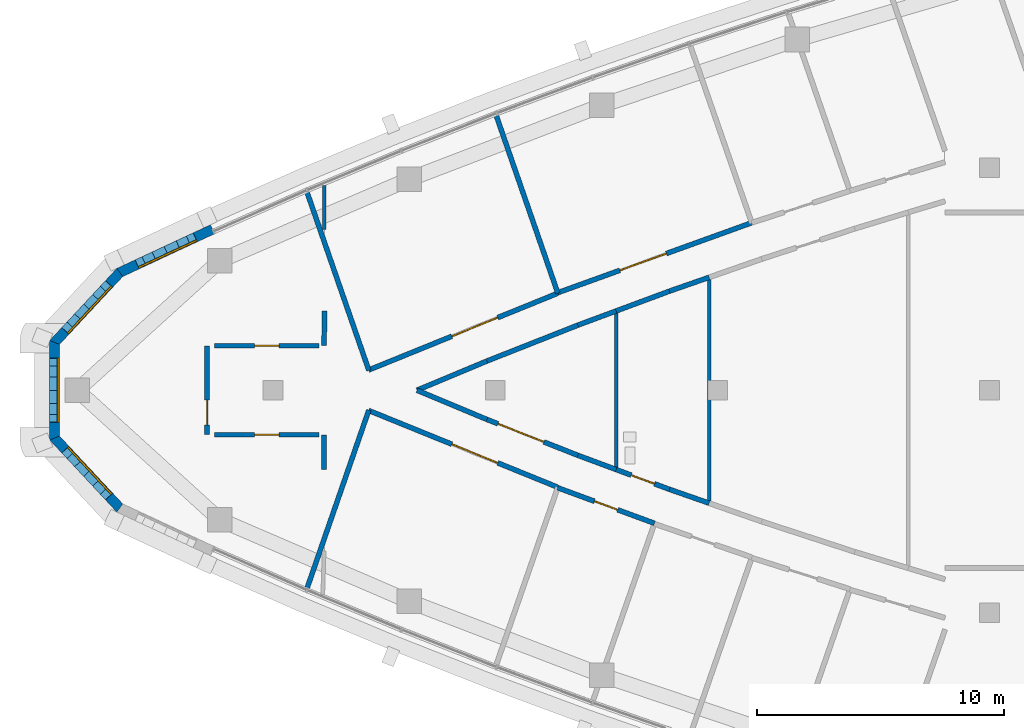
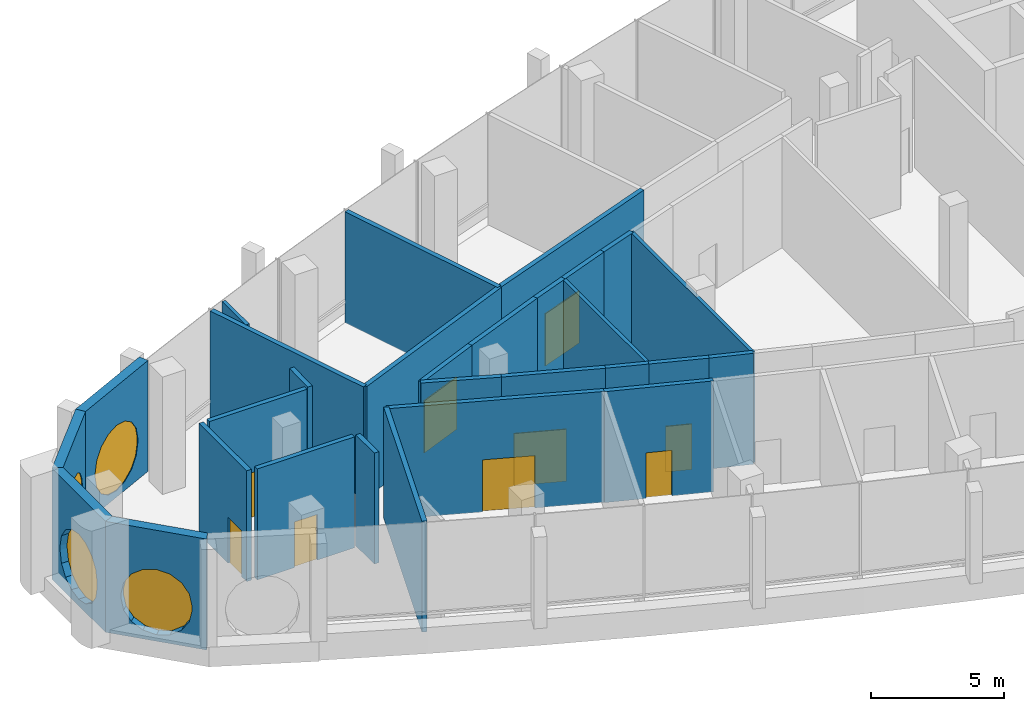
# One storey, part 7 of 15: 29 walls, 9 doors, 4 windows, 13 openings.
"""IFC4 building model written with IfcOpenShell, lengths in metres."""

from ifc_helpers import new_model, si_unit, direction, frame, frame_2d, origin, place, context, subcontext, project, spatial, polyline, rectangle, outline, extrude, material, layer, layer_set, type_object, element, fill, save


model = new_model("IFC4")

# Units and contexts
model_context = context("Model", 3, precision=1e-05, world=origin(), true_north=direction((0.0, 1.0)))
body_context = subcontext(model_context, "Body", "Model", "MODEL_VIEW")
ifc_project = project(units=[si_unit("LENGTHUNIT", "METRE"), si_unit("AREAUNIT", "SQUARE_METRE"), si_unit("VOLUMEUNIT", "CUBIC_METRE"), si_unit("PLANEANGLEUNIT", "RADIAN"), si_unit("MASSUNIT", "GRAM", prefix="KILO")], contexts=[model_context])

# Site, building, storey
site_placement = place(None, origin())
site = spatial("IfcSite", under=ifc_project, at=site_placement, CompositionType="ELEMENT")
building_placement = place(site_placement, origin())
building = spatial("IfcBuilding", under=site, at=building_placement, Name="Ostrand Prow Hotel Tower", CompositionType="ELEMENT")
storey_placement = place(building_placement, frame((0.0, 0.0, 313.199951171875)))
storey = spatial("IfcBuildingStorey", under=building, at=storey_placement, Name="C2", CompositionType="ELEMENT", Elevation=313.199951171875)

# Walls
ifc_material_1 = material(Name="Plasterboard partition")
ifc_layer_1 = layer(ifc_material_1, 0.14990234375)
ifc_layer_set_1 = layer_set([ifc_layer_1], Name="Plasterboard partition")
wall_type_1 = type_object("IfcWallType", Name="Partition 150 room partition", PredefinedType="PARTITIONING", material=ifc_layer_set_1)
wall_1_placement = place(storey_placement, frame((29.890380859375, -3.20947265625, 0.0), z_axis=(0.0, 0.0, 1.0), x_axis=(0.0, 1.0, 0.0)))
element("IfcWall", 1, at=wall_1_placement, inside=storey, type_object=wall_type_1, Name="ROOM PARTITION", PredefinedType="PARTITIONING", context=body_context, shape_type="SweptSolid", body=[
    extrude(rectangle(XDim=6.4189453125, YDim=0.14990234375, at=frame_2d((3.20947265625, 0.0))), origin(), (0.0, 0.0, 1.0), 5.10009765625),
])
wall_2_placement = place(storey_placement, frame((33.65234375, -4.56982421875, 0.0), z_axis=(0.0, 0.0, 1.0), x_axis=(0.0, 1.0, 0.0)))
element("IfcWall", 2, at=wall_2_placement, inside=storey, type_object=wall_type_1, Name="ROOM PARTITION", PredefinedType="PARTITIONING", context=body_context, shape_type="SweptSolid", body=[
    extrude(rectangle(XDim=9.1396484375, YDim=0.14990234375, at=frame_2d((4.56982421875, 0.0))), origin(), (0.0, 0.0, 1.0), 5.10009765625),
])
wall_3_placement = place(storey_placement, frame((18.071533203125, 8.29248046875, 0.0), z_axis=(0.0, 0.0, 1.0), x_axis=(0.0, -1.0, 0.0)))
element("IfcWall", 3, at=wall_3_placement, inside=storey, type_object=wall_type_1, Name="ROOM PARTITION", PredefinedType="PARTITIONING", context=body_context, shape_type="SweptSolid", body=[
    extrude(rectangle(XDim=1.78125, YDim=0.14990234375, at=frame_2d((0.890625, 0.0))), origin(), (0.0, 0.0, 1.0), 5.10009765625),
])

# Wall, opening, door
ifc_material_2 = material(Name="Plasterboard partition")
ifc_layer_2 = layer(ifc_material_2, 0.199951171875)
ifc_layer_set_2 = layer_set([ifc_layer_2], Name="Plasterboard partition")
wall_type_2 = type_object("IfcWallType", Name="Partition 200 corridor wall", PredefinedType="PARTITIONING", material=ifc_layer_set_2)
wall_4_placement = place(storey_placement, frame((13.63720703125, 1.800048828125, 0.0), z_axis=(0.0, 0.0, 1.0), x_axis=(1.0, 0.0, 0.0)))
wall_4 = element("IfcWall", 4, at=wall_4_placement, inside=storey, type_object=wall_type_2, Name="CORRIDOR WALL", PredefinedType="PARTITIONING", context=body_context, shape_type="SweptSolid", body=[
    extrude(rectangle(XDim=4.234375, YDim=0.199951171875, at=frame_2d((2.1171875, 0.0))), origin(), (0.0, 0.0, 1.0), 5.10009765625),
])
opening_1_placement = place(wall_4_placement, frame((1.6171875, 0.0, 0.0)))
opening_1 = element("IfcOpeningElement", 5, at=opening_1_placement, cuts=wall_4, Name="Opening D1", PredefinedType="OPENING", context=body_context, shape_type="SweptSolid", body=[
    extrude(rectangle(XDim=1.0, YDim=2.10009765625, at=frame_2d((0.5, 1.050048828125))), frame((0.0, 0.10986328125, 0.0), z_axis=(0.0, -1.0, 0.0), x_axis=(1.0, 0.0, 0.0)), (0.0, 0.0, 1.0), 0.219970703125),
])
ifc_material_3 = material(Name="Timber door leaf", Category="wood")
door_type_1 = type_object("IfcDoorType", Name="Guest room door 1000", OperationType="SINGLE_SWING_LEFT", PredefinedType="DOOR", material=ifc_material_3)
door_1_placement = place(opening_1_placement, origin())
door_1 = element("IfcDoor", 6, at=door_1_placement, inside=storey, type_object=door_type_1, Name="DOOR", OperationType="SINGLE_SWING_LEFT", OverallHeight=2.10009765625, OverallWidth=1.0, PredefinedType="DOOR", context=body_context, shape_type="SweptSolid", body=[
    extrude(rectangle(XDim=1.0, YDim=2.10009765625, at=frame_2d((0.5, 1.050048828125))), frame((0.0, 0.02490234375, 0.0), z_axis=(0.0, -1.0, 0.0), x_axis=(1.0, 0.0, 0.0)), (0.0, 0.0, 1.0), 0.050048828125),
])
fill(opening_1, door_1)

wall_5_placement = place(storey_placement, frame((13.63720703125, -1.800048828125, 0.0), z_axis=(0.0, 0.0, 1.0), x_axis=(1.0, 0.0, 0.0)))
wall_5 = element("IfcWall", 7, at=wall_5_placement, inside=storey, type_object=wall_type_2, Name="CORRIDOR WALL", PredefinedType="PARTITIONING", context=body_context, shape_type="SweptSolid", body=[
    extrude(rectangle(XDim=4.234375, YDim=0.199951171875, at=frame_2d((2.1171875, 0.0))), origin(), (0.0, 0.0, 1.0), 5.10009765625),
])
opening_2_placement = place(wall_5_placement, frame((1.6171875, 0.0, 0.0)))
opening_2 = element("IfcOpeningElement", 8, at=opening_2_placement, cuts=wall_5, Name="Opening D1R", PredefinedType="OPENING", context=body_context, shape_type="SweptSolid", body=[
    extrude(rectangle(XDim=1.0, YDim=2.10009765625, at=frame_2d((0.5, 1.050048828125))), frame((0.0, 0.10986328125, 0.0), z_axis=(0.0, -1.0, 0.0), x_axis=(1.0, 0.0, 0.0)), (0.0, 0.0, 1.0), 0.219970703125),
])
ifc_material_4 = material(Name="Timber door leaf", Category="wood")
door_type_2 = type_object("IfcDoorType", Name="Guest room door 1000 right", OperationType="SINGLE_SWING_RIGHT", PredefinedType="DOOR", material=ifc_material_4)
door_2_placement = place(opening_2_placement, origin())
door_2 = element("IfcDoor", 9, at=door_2_placement, inside=storey, type_object=door_type_2, Name="DOOR", OperationType="SINGLE_SWING_RIGHT", OverallHeight=2.10009765625, OverallWidth=1.0, PredefinedType="DOOR", context=body_context, shape_type="SweptSolid", body=[
    extrude(rectangle(XDim=1.0, YDim=2.10009765625, at=frame_2d((0.5, 1.050048828125))), frame((0.0, 0.02490234375, 0.0), z_axis=(0.0, -1.0, 0.0), x_axis=(1.0, 0.0, 0.0)), (0.0, 0.0, 1.0), 0.050048828125),
])
fill(opening_2, door_2)

wall_6_placement = place(storey_placement, frame((19.876708984375, 0.819091796875, 0.0), z_axis=(0.0, 0.0, 1.0), x_axis=(0.926527754448, 0.376226421503, 0.0)))
wall_6 = element("IfcWall", 10, at=wall_6_placement, inside=storey, type_object=wall_type_2, Name="CORRIDOR WALL", PredefinedType="PARTITIONING", context=body_context, shape_type="SweptSolid", body=[
    extrude(rectangle(XDim=8.2607421875, YDim=0.199951171875, at=frame_2d((4.13037109375, 0.0))), origin(), (0.0, 0.0, 1.0), 5.10009765625),
])
opening_3_placement = place(wall_6_placement, frame((3.63037109375, 0.0, 0.0)))
opening_3 = element("IfcOpeningElement", 11, at=opening_3_placement, cuts=wall_6, Name="Opening D20", PredefinedType="OPENING", context=body_context, shape_type="SweptSolid", body=[
    extrude(rectangle(XDim=2.0, YDim=2.39990234375, at=frame_2d((1.0, 1.199951171875))), frame((0.0, 0.10986328125, 0.0), z_axis=(0.0, -1.0, 0.0), x_axis=(1.0, 0.0, 0.0)), (0.0, 0.0, 1.0), 0.219970703125),
])
ifc_material_5 = material(Name="Timber door leaf", Category="wood")
door_type_3 = type_object("IfcDoorType", Name="Double door 2000", OperationType="DOUBLE_DOOR_SINGLE_SWING", PredefinedType="DOOR", material=ifc_material_5)
door_3_placement = place(opening_3_placement, origin())
door_3 = element("IfcDoor", 12, at=door_3_placement, inside=storey, type_object=door_type_3, Name="DOOR", OperationType="DOUBLE_DOOR_SINGLE_SWING", OverallHeight=2.39990234375, OverallWidth=2.0, PredefinedType="DOOR", context=body_context, shape_type="SweptSolid", body=[
    extrude(rectangle(XDim=2.0, YDim=2.39990234375, at=frame_2d((1.0, 1.199951171875))), frame((0.0, 0.02490234375, 0.0), z_axis=(0.0, -1.0, 0.0), x_axis=(1.0, 0.0, 0.0)), (0.0, 0.0, 1.0), 0.050048828125),
])
fill(opening_3, door_3)

wall_7_placement = place(storey_placement, frame((35.375732421875, 6.778564453125, 0.0), z_axis=(0.0, 0.0, 1.0), x_axis=(-0.940653782276, -0.339367738433, 0.0)))
wall_7 = element("IfcWall", 13, at=wall_7_placement, inside=storey, type_object=wall_type_2, Name="CORRIDOR WALL", PredefinedType="PARTITIONING", context=body_context, shape_type="SweptSolid", body=[
    extrude(rectangle(XDim=8.34716796875, YDim=0.199951171875, at=frame_2d((4.173583984375, 0.0))), origin(), (0.0, 0.0, 1.0), 5.10009765625),
])
opening_4_placement = place(wall_7_placement, frame((3.673583984375, 0.0, 0.0)))
opening_4 = element("IfcOpeningElement", 14, at=opening_4_placement, cuts=wall_7, Name="Opening D20", PredefinedType="OPENING", context=body_context, shape_type="SweptSolid", body=[
    extrude(rectangle(XDim=2.0, YDim=2.39990234375, at=frame_2d((1.0, 1.199951171875))), frame((0.0, 0.10986328125, 0.0), z_axis=(0.0, -1.0, 0.0), x_axis=(1.0, 0.0, 0.0)), (0.0, 0.0, 1.0), 0.219970703125),
])
door_4_placement = place(opening_4_placement, origin())
door_4 = element("IfcDoor", 15, at=door_4_placement, inside=storey, type_object=door_type_3, Name="DOOR", OperationType="DOUBLE_DOOR_SINGLE_SWING", OverallHeight=2.39990234375, OverallWidth=2.0, PredefinedType="DOOR", context=body_context, shape_type="SweptSolid", body=[
    extrude(rectangle(XDim=2.0, YDim=2.39990234375, at=frame_2d((1.0, 1.199951171875))), frame((0.0, 0.02490234375, 0.0), z_axis=(0.0, -1.0, 0.0), x_axis=(1.0, 0.0, 0.0)), (0.0, 0.0, 1.0), 0.050048828125),
])
fill(opening_4, door_4)

wall_8_placement = place(storey_placement, frame((19.876708984375, -0.819091796875, 0.0), z_axis=(0.0, 0.0, 1.0), x_axis=(0.926527754448, -0.376226421503, 0.0)))
wall_8 = element("IfcWall", 16, at=wall_8_placement, inside=storey, type_object=wall_type_2, Name="CORRIDOR WALL", PredefinedType="PARTITIONING", context=body_context, shape_type="SweptSolid", body=[
    extrude(rectangle(XDim=8.2607421875, YDim=0.199951171875, at=frame_2d((4.13037109375, 0.0))), origin(), (0.0, 0.0, 1.0), 5.10009765625),
])
opening_5_placement = place(wall_8_placement, frame((3.63037109375, 0.0, 0.0)))
opening_5 = element("IfcOpeningElement", 17, at=opening_5_placement, cuts=wall_8, Name="Opening D20", PredefinedType="OPENING", context=body_context, shape_type="SweptSolid", body=[
    extrude(rectangle(XDim=2.0, YDim=2.39990234375, at=frame_2d((1.0, 1.199951171875))), frame((0.0, 0.10986328125, 0.0), z_axis=(0.0, -1.0, 0.0), x_axis=(1.0, 0.0, 0.0)), (0.0, 0.0, 1.0), 0.219970703125),
])
door_5_placement = place(opening_5_placement, origin())
door_5 = element("IfcDoor", 18, at=door_5_placement, inside=storey, type_object=door_type_3, Name="DOOR", OperationType="DOUBLE_DOOR_SINGLE_SWING", OverallHeight=2.39990234375, OverallWidth=2.0, PredefinedType="DOOR", context=body_context, shape_type="SweptSolid", body=[
    extrude(rectangle(XDim=2.0, YDim=2.39990234375, at=frame_2d((1.0, 1.199951171875))), frame((0.0, 0.02490234375, 0.0), z_axis=(0.0, -1.0, 0.0), x_axis=(1.0, 0.0, 0.0)), (0.0, 0.0, 1.0), 0.050048828125),
])
fill(opening_5, door_5)

wall_9_placement = place(storey_placement, frame((27.52392578125, -3.94580078125, 0.0), z_axis=(0.0, 0.0, 1.0), x_axis=(0.938626470437, -0.344935282329, 0.0)))
wall_9 = element("IfcWall", 19, at=wall_9_placement, inside=storey, type_object=wall_type_2, Name="CORRIDOR WALL", PredefinedType="PARTITIONING", context=body_context, shape_type="SweptSolid", body=[
    extrude(rectangle(XDim=4.173095703125, YDim=0.199951171875, at=frame_2d((2.08642578125, 0.0))), origin(), (0.0, 0.0, 1.0), 5.10009765625),
])
opening_6_placement = place(wall_9_placement, frame((1.58642578125, 0.0, 0.0)))
opening_6 = element("IfcOpeningElement", 20, at=opening_6_placement, cuts=wall_9, Name="Opening D1", PredefinedType="OPENING", context=body_context, shape_type="SweptSolid", body=[
    extrude(rectangle(XDim=1.0, YDim=2.10009765625, at=frame_2d((0.5, 1.050048828125))), frame((0.0, 0.10986328125, 0.0), z_axis=(0.0, -1.0, 0.0), x_axis=(1.0, 0.0, 0.0)), (0.0, 0.0, 1.0), 0.219970703125),
])
door_6_placement = place(opening_6_placement, origin())
door_6 = element("IfcDoor", 21, at=door_6_placement, inside=storey, type_object=door_type_1, Name="DOOR", OperationType="SINGLE_SWING_LEFT", OverallHeight=2.10009765625, OverallWidth=1.0, PredefinedType="DOOR", context=body_context, shape_type="SweptSolid", body=[
    extrude(rectangle(XDim=1.0, YDim=2.10009765625, at=frame_2d((0.5, 1.050048828125))), frame((0.0, 0.02490234375, 0.0), z_axis=(0.0, -1.0, 0.0), x_axis=(1.0, 0.0, 0.0)), (0.0, 0.0, 1.0), 0.050048828125),
])
fill(opening_6, door_6)

wall_10_placement = place(storey_placement, frame((28.3408203125, -2.634033203125, 0.0), z_axis=(0.0, 0.0, 1.0), x_axis=(-0.930283315105, 0.366841864619, 0.0)))
wall_10 = element("IfcWall", 22, at=wall_10_placement, inside=storey, type_object=wall_type_2, Name="CORRIDOR WALL", PredefinedType="PARTITIONING", context=body_context, shape_type="SweptSolid", body=[
    extrude(rectangle(XDim=3.955078125, YDim=0.199951171875, at=frame_2d((1.9775390625, 0.0))), origin(), (0.0, 0.0, 1.0), 5.10009765625),
])
opening_7_placement = place(wall_10_placement, frame((1.4775390625, 0.0, 0.0)))
opening_7 = element("IfcOpeningElement", 23, at=opening_7_placement, cuts=wall_10, Name="Opening D20", PredefinedType="OPENING", context=body_context, shape_type="SweptSolid", body=[
    extrude(rectangle(XDim=2.0, YDim=2.39990234375, at=frame_2d((1.0, 1.199951171875))), frame((0.0, 0.10986328125, 0.0), z_axis=(0.0, -1.0, 0.0), x_axis=(1.0, 0.0, 0.0)), (0.0, 0.0, 1.0), 0.219970703125),
])
door_7_placement = place(opening_7_placement, origin())
door_7 = element("IfcDoor", 24, at=door_7_placement, inside=storey, type_object=door_type_3, Name="DOOR", OperationType="DOUBLE_DOOR_SINGLE_SWING", OverallHeight=2.39990234375, OverallWidth=2.0, PredefinedType="DOOR", context=body_context, shape_type="SweptSolid", body=[
    extrude(rectangle(XDim=2.0, YDim=2.39990234375, at=frame_2d((1.0, 1.199951171875))), frame((0.0, 0.02490234375, 0.0), z_axis=(0.0, -1.0, 0.0), x_axis=(1.0, 0.0, 0.0)), (0.0, 0.0, 1.0), 0.050048828125),
])
fill(opening_7, door_7)

# Walls
for number, where, z_axis, x_axis, name in (
    (25, (24.661376953125, -1.18310546875, 0.0), (0.0, 0.0, 1.0), (-0.922730626167, 0.3854454456, 0.0), "CORRIDOR WALL"),
    (26, (21.8291015625, 0.0, 0.0), (0.0, 0.0, 1.0), (0.922730626167, 0.3854454456, 0.0), "CORRIDOR WALL"),
):
    element("IfcWall", number, at=place(storey_placement, frame(where, z_axis=z_axis, x_axis=x_axis)), inside=storey, type_object=wall_type_2, Name=name, PredefinedType="PARTITIONING", context=body_context, shape_type="SweptSolid", body=[
        extrude(rectangle(XDim=3.0693359375, YDim=0.199951171875, at=frame_2d((1.53466796875, 0.0))), origin(), (0.0, 0.0, 1.0), 5.10009765625),
    ])
wall_11_placement = place(storey_placement, frame((24.661376953125, 1.18310546875, 0.0), z_axis=(0.0, 0.0, 1.0), x_axis=(0.930283315105, 0.366841864619, 0.0)))
element("IfcWall", 27, at=wall_11_placement, inside=storey, type_object=wall_type_2, Name="CORRIDOR WALL", PredefinedType="PARTITIONING", context=body_context, shape_type="SweptSolid", body=[
    extrude(rectangle(XDim=3.955078125, YDim=0.199951171875, at=frame_2d((1.9775390625, 0.0))), origin(), (0.0, 0.0, 1.0), 5.10009765625),
])
for number, where, z_axis, x_axis, name in (
    (28, (28.3408203125, 2.634033203125, 0.0), (0.0, 0.0, 1.0), (0.937447308475, 0.348127194907, 0.0), "CORRIDOR WALL"),
    (29, (29.890380859375, -3.20947265625, 0.0), (0.0, 0.0, 1.0), (-0.937447308475, 0.348127194907, 0.0), "CORRIDOR WALL"),
):
    element("IfcWall", number, at=place(storey_placement, frame(where, z_axis=z_axis, x_axis=x_axis)), inside=storey, type_object=wall_type_2, Name=name, PredefinedType="PARTITIONING", context=body_context, shape_type="SweptSolid", body=[
        extrude(rectangle(XDim=1.653076171875, YDim=0.199951171875, at=frame_2d((0.82666015625, 0.0))), origin(), (0.0, 0.0, 1.0), 5.10009765625),
    ])

# Wall, opening, door
wall_12_placement = place(storey_placement, frame((32.048583984375, -4.0107421875, 0.0), z_axis=(0.0, 0.0, 1.0), x_axis=(-0.937474711598, 0.348053394057, 0.0)))
wall_12 = element("IfcWall", 30, at=wall_12_placement, inside=storey, type_object=wall_type_2, Name="CORRIDOR WALL", PredefinedType="PARTITIONING", context=body_context, shape_type="SweptSolid", body=[
    extrude(rectangle(XDim=2.30224609375, YDim=0.199951171875, at=frame_2d((1.151123046875, 0.0))), origin(), (0.0, 0.0, 1.0), 5.10009765625),
])
opening_8_placement = place(wall_12_placement, frame((0.651123046875, 0.0, 0.0)))
opening_8 = element("IfcOpeningElement", 31, at=opening_8_placement, cuts=wall_12, Name="Opening D1", PredefinedType="OPENING", context=body_context, shape_type="SweptSolid", body=[
    extrude(rectangle(XDim=1.0, YDim=2.10009765625, at=frame_2d((0.5, 1.050048828125))), frame((0.0, 0.10986328125, 0.0), z_axis=(0.0, -1.0, 0.0), x_axis=(1.0, 0.0, 0.0)), (0.0, 0.0, 1.0), 0.219970703125),
])
door_8_placement = place(opening_8_placement, origin())
door_8 = element("IfcDoor", 32, at=door_8_placement, inside=storey, type_object=door_type_1, Name="DOOR", OperationType="SINGLE_SWING_LEFT", OverallHeight=2.10009765625, OverallWidth=1.0, PredefinedType="DOOR", context=body_context, shape_type="SweptSolid", body=[
    extrude(rectangle(XDim=1.0, YDim=2.10009765625, at=frame_2d((0.5, 1.050048828125))), frame((0.0, 0.02490234375, 0.0), z_axis=(0.0, -1.0, 0.0), x_axis=(1.0, 0.0, 0.0)), (0.0, 0.0, 1.0), 0.050048828125),
])
fill(opening_8, door_8)

# Walls
wall_13_placement = place(storey_placement, frame((33.65234375, -4.56982421875, 0.0), z_axis=(0.0, 0.0, 1.0), x_axis=(-0.94426773746, 0.329178431844, 0.0)))
element("IfcWall", 33, at=wall_13_placement, inside=storey, type_object=wall_type_2, Name="CORRIDOR WALL", PredefinedType="PARTITIONING", context=body_context, shape_type="SweptSolid", body=[
    extrude(rectangle(XDim=1.698486328125, YDim=0.199951171875, at=frame_2d((0.84912109375, 0.0))), origin(), (0.0, 0.0, 1.0), 5.10009765625),
])
wall_14_placement = place(storey_placement, frame((29.890380859375, 3.20947265625, 0.0), z_axis=(0.0, 0.0, 1.0), x_axis=(0.937474711598, 0.348053394057, 0.0)))
element("IfcWall", 34, at=wall_14_placement, inside=storey, type_object=wall_type_2, Name="CORRIDOR WALL", PredefinedType="PARTITIONING", context=body_context, shape_type="SweptSolid", body=[
    extrude(rectangle(XDim=2.30224609375, YDim=0.199951171875, at=frame_2d((1.151123046875, 0.0))), origin(), (0.0, 0.0, 1.0), 5.10009765625),
])
wall_15_placement = place(storey_placement, frame((32.048583984375, 4.0107421875, 0.0), z_axis=(0.0, 0.0, 1.0), x_axis=(0.94426773746, 0.329178431844, 0.0)))
element("IfcWall", 35, at=wall_15_placement, inside=storey, type_object=wall_type_2, Name="CORRIDOR WALL", PredefinedType="PARTITIONING", context=body_context, shape_type="SweptSolid", body=[
    extrude(rectangle(XDim=1.698486328125, YDim=0.199951171875, at=frame_2d((0.84912109375, 0.0))), origin(), (0.0, 0.0, 1.0), 5.10009765625),
])
wall_16_placement = place(storey_placement, frame((18.069091796875, 1.805419921875, 0.0), z_axis=(0.0, 0.0, 1.0), x_axis=(0.016482230624, 0.99986415881, 0.0)))
element("IfcWall", 36, at=wall_16_placement, inside=storey, type_object=wall_type_2, Name="CORRIDOR WALL", PredefinedType="PARTITIONING", context=body_context, shape_type="SweptSolid", body=[
    extrude(rectangle(XDim=1.4072265625, YDim=0.199951171875, at=frame_2d((0.70361328125, 0.0))), origin(), (0.0, 0.0, 1.0), 5.10009765625),
])
wall_17_placement = place(storey_placement, frame((18.0751953125, -3.20361328125, 0.0), z_axis=(0.0, 0.0, 1.0), x_axis=(-0.004015330759, 0.999991938527, 0.0)))
element("IfcWall", 37, at=wall_17_placement, inside=storey, type_object=wall_type_2, Name="CORRIDOR WALL", PredefinedType="PARTITIONING", context=body_context, shape_type="SweptSolid", body=[
    extrude(rectangle(XDim=1.3984375, YDim=0.199951171875, at=frame_2d((0.69921875, 0.0))), origin(), (0.0, 0.0, 1.0), 5.10009765625),
])
ifc_material_6 = material(Name="Plasterboard partition")
ifc_layer_3 = layer(ifc_material_6, 0.199951171875)
ifc_layer_set_3 = layer_set([ifc_layer_3], Name="Plasterboard partition")
wall_type_3 = type_object("IfcWallType", Name="Partition 200 key partition", PredefinedType="PARTITIONING", material=ifc_layer_set_3)
wall_18_placement = place(storey_placement, frame((19.88330078125, 0.800048828125, 0.0), z_axis=(0.0, 0.0, 1.0), x_axis=(-0.327720796798, 0.94477461828, 0.0)))
element("IfcWall", 38, at=wall_18_placement, inside=storey, type_object=wall_type_3, Name="KEY PARTITION", PredefinedType="PARTITIONING", context=body_context, shape_type="SweptSolid", body=[
    extrude(rectangle(XDim=7.62548828125, YDim=0.199951171875, at=frame_2d((3.812744140625, 0.0))), origin(), (0.0, 0.0, 1.0), 5.10009765625),
])
wall_19_placement = place(storey_placement, frame((27.530517578125, 3.927001953125, 0.0), z_axis=(0.0, 0.0, 1.0), x_axis=(-0.327730022722, 0.944771417966, 0.0)))
element("IfcWall", 39, at=wall_19_placement, inside=storey, type_object=wall_type_3, Name="KEY PARTITION", PredefinedType="PARTITIONING", context=body_context, shape_type="SweptSolid", body=[
    extrude(rectangle(XDim=7.606689453125, YDim=0.199951171875, at=frame_2d((3.80322265625, 0.0))), origin(), (0.0, 0.0, 1.0), 5.10009765625),
])
wall_20_placement = place(storey_placement, frame((17.38427734375, -8.00439453125, 0.0), z_axis=(0.0, 0.0, 1.0), x_axis=(0.327720796798, 0.94477461828, 0.0)))
element("IfcWall", 40, at=wall_20_placement, inside=storey, type_object=wall_type_3, Name="KEY PARTITION", PredefinedType="PARTITIONING", context=body_context, shape_type="SweptSolid", body=[
    extrude(rectangle(XDim=7.62548828125, YDim=0.199951171875, at=frame_2d((3.812744140625, 0.0))), origin(), (0.0, 0.0, 1.0), 5.10009765625),
])

# Wall, opening, door
ifc_material_7 = material(Name="Plasterboard partition")
ifc_layer_4 = layer(ifc_material_7, 0.199951171875)
ifc_layer_set_4 = layer_set([ifc_layer_4], Name="Plasterboard partition")
wall_type_4 = type_object("IfcWallType", Name="Partition 200 lounge wall", PredefinedType="PARTITIONING", material=ifc_layer_set_4)
wall_21_placement = place(storey_placement, frame((13.337158203125, -1.800048828125, 0.0), z_axis=(0.0, 0.0, 1.0), x_axis=(0.0, 1.0, 0.0)))
wall_21 = element("IfcWall", 41, at=wall_21_placement, inside=storey, type_object=wall_type_4, Name="LOUNGE WALL", PredefinedType="PARTITIONING", context=body_context, shape_type="SweptSolid", body=[
    extrude(rectangle(XDim=3.60009765625, YDim=0.199951171875, at=frame_2d((1.800048828125, 0.0))), origin(), (0.0, 0.0, 1.0), 5.10009765625),
])
opening_9_placement = place(wall_21_placement, frame((0.39990234375, 0.0, 0.0)))
opening_9 = element("IfcOpeningElement", 42, at=opening_9_placement, cuts=wall_21, Name="Opening D1", PredefinedType="OPENING", context=body_context, shape_type="SweptSolid", body=[
    extrude(rectangle(XDim=1.0, YDim=2.10009765625, at=frame_2d((0.5, 1.050048828125))), frame((0.0, 0.10986328125, 0.0), z_axis=(0.0, -1.0, 0.0), x_axis=(1.0, 0.0, 0.0)), (0.0, 0.0, 1.0), 0.219970703125),
])
door_9_placement = place(opening_9_placement, origin())
door_9 = element("IfcDoor", 43, at=door_9_placement, inside=storey, type_object=door_type_1, Name="DOOR", OperationType="SINGLE_SWING_LEFT", OverallHeight=2.10009765625, OverallWidth=1.0, PredefinedType="DOOR", context=body_context, shape_type="SweptSolid", body=[
    extrude(rectangle(XDim=1.0, YDim=2.10009765625, at=frame_2d((0.5, 1.050048828125))), frame((0.0, 0.02490234375, 0.0), z_axis=(0.0, -1.0, 0.0), x_axis=(1.0, 0.0, 0.0)), (0.0, 0.0, 1.0), 0.050048828125),
])
fill(opening_9, door_9)

# Wall, opening, window
ifc_material_8 = material(Name="Precast concrete C40/50", Category="concrete")
ifc_layer_5 = layer(ifc_material_8, 0.39990234375)
ifc_layer_set_5 = layer_set([ifc_layer_5], Name="Precast concrete C40/50")
wall_type_5 = type_object("IfcWallType", Name="Stone-faced precast wall 400 mm", PredefinedType="NOTDEFINED", material=ifc_layer_set_5)
wall_22_placement = place(storey_placement, frame((13.55859375, 6.5146484375, 0.0), z_axis=(0.0, 0.0, 1.0), x_axis=(-0.906485602396, -0.42223672584, 0.0)))
wall_22 = element("IfcWall", 44, at=wall_22_placement, inside=storey, type_object=wall_type_5, Name="Stone-faced wall prow 1", PredefinedType="NOTDEFINED", context=body_context, shape_type="SweptSolid", body=[
    extrude(outline(polyline([(0.0, -0.199951171875), (4.1806640625, -0.199951171875), (4.1025390625, 0.199951171875), (0.0, 0.199951171875), (0.0, -0.199951171875)])), origin(), (0.0, 0.0, 1.0), 5.10009765625),
])
opening_10_placement = place(wall_22_placement, frame((0.6708984375, 0.0, 0.300048828125)))
opening_10 = element("IfcOpeningElement", 45, at=opening_10_placement, cuts=wall_22, Name="Opening WO1", PredefinedType="OPENING", context=body_context, shape_type="SweptSolid", body=[
    extrude(outline(polyline([(0.0, 1.60009765625), (0.106689453125, 2.1357421875), (0.41015625, 2.58984375), (0.8642578125, 2.893310546875), (1.39990234375, 3.0), (1.935791015625, 2.893310546875), (2.389892578125, 2.58984375), (2.693359375, 2.1357421875), (2.800048828125, 1.60009765625), (2.800048828125, 1.39990234375), (2.693359375, 0.8642578125), (2.389892578125, 0.41015625), (1.935791015625, 0.106689453125), (1.39990234375, 0.0), (0.8642578125, 0.106689453125), (0.41015625, 0.41015625), (0.106689453125, 0.8642578125), (0.0, 1.39990234375), (0.0, 1.60009765625)])), frame((0.0, 0.2099609375, 0.0), z_axis=(0.0, -1.0, 0.0), x_axis=(1.0, 0.0, 0.0)), (0.0, 0.0, 1.0), 0.419921875),
])
ifc_material_9 = material(Name="Insulated glass in bronze frame", Category="glass")
window_type = type_object("IfcWindowType", Name="Observation deck prow window 2800x3000", PartitioningType="SINGLE_PANEL", PredefinedType="WINDOW", material=ifc_material_9)
window_1_placement = place(opening_10_placement, origin())
window_1 = element("IfcWindow", 46, at=window_1_placement, inside=storey, type_object=window_type, Name="Window prow 1.1", OverallHeight=3.0, OverallWidth=2.800048828125, PartitioningType="SINGLE_PANEL", PredefinedType="WINDOW", context=body_context, shape_type="SweptSolid", body=[
    extrude(outline(polyline([(0.0, 1.60009765625), (0.106689453125, 2.1357421875), (0.41015625, 2.58984375), (0.8642578125, 2.893310546875), (1.39990234375, 3.0), (1.935791015625, 2.893310546875), (2.389892578125, 2.58984375), (2.693359375, 2.1357421875), (2.800048828125, 1.60009765625), (2.800048828125, 1.39990234375), (2.693359375, 0.8642578125), (2.389892578125, 0.41015625), (1.935791015625, 0.106689453125), (1.39990234375, 0.0), (0.8642578125, 0.106689453125), (0.41015625, 0.41015625), (0.106689453125, 0.8642578125), (0.0, 1.39990234375), (0.0, 1.60009765625)])), frame((0.0, 0.169921875, 0.0), z_axis=(0.0, -1.0, 0.0), x_axis=(1.0, 0.0, 0.0)), (0.0, 0.0, 1.0), 0.06005859375),
])
fill(opening_10, window_1)

wall_23_placement = place(storey_placement, frame((9.80419921875, 4.765869140625, 0.0), z_axis=(0.0, 0.0, 1.0), x_axis=(-0.6815467277, -0.73177459505, 0.0)))
wall_23 = element("IfcWall", 47, at=wall_23_placement, inside=storey, type_object=wall_type_5, Name="Stone-faced wall prow 2", PredefinedType="NOTDEFINED", context=body_context, shape_type="SweptSolid", body=[
    extrude(outline(polyline([(-0.0390625, -0.199951171875), (3.94775390625, -0.199951171875), (3.79052734375, 0.199951171875), (0.0390625, 0.199951171875), (-0.0390625, -0.199951171875)])), origin(), (0.0, 0.0, 1.0), 5.10009765625),
])
opening_11_placement = place(wall_23_placement, frame((0.53466796875, 0.0, 0.300048828125)))
opening_11 = element("IfcOpeningElement", 48, at=opening_11_placement, cuts=wall_23, Name="Opening WO1", PredefinedType="OPENING", context=body_context, shape_type="SweptSolid", body=[
    extrude(outline(polyline([(0.0, 1.60009765625), (0.106689453125, 2.1357421875), (0.41015625, 2.58984375), (0.8642578125, 2.893310546875), (1.39990234375, 3.0), (1.935791015625, 2.893310546875), (2.389892578125, 2.58984375), (2.693359375, 2.1357421875), (2.800048828125, 1.60009765625), (2.800048828125, 1.39990234375), (2.693359375, 0.8642578125), (2.389892578125, 0.41015625), (1.935791015625, 0.106689453125), (1.39990234375, 0.0), (0.8642578125, 0.106689453125), (0.41015625, 0.41015625), (0.106689453125, 0.8642578125), (0.0, 1.39990234375), (0.0, 1.60009765625)])), frame((0.0, 0.2099609375, 0.0), z_axis=(0.0, -1.0, 0.0), x_axis=(1.0, 0.0, 0.0)), (0.0, 0.0, 1.0), 0.419921875),
])
window_2_placement = place(opening_11_placement, origin())
window_2 = element("IfcWindow", 49, at=window_2_placement, inside=storey, type_object=window_type, Name="Window prow 2.1", OverallHeight=3.0, OverallWidth=2.800048828125, PartitioningType="SINGLE_PANEL", PredefinedType="WINDOW", context=body_context, shape_type="SweptSolid", body=[
    extrude(outline(polyline([(0.0, 1.60009765625), (0.106689453125, 2.1357421875), (0.41015625, 2.58984375), (0.8642578125, 2.893310546875), (1.39990234375, 3.0), (1.935791015625, 2.893310546875), (2.389892578125, 2.58984375), (2.693359375, 2.1357421875), (2.800048828125, 1.60009765625), (2.800048828125, 1.39990234375), (2.693359375, 0.8642578125), (2.389892578125, 0.41015625), (1.935791015625, 0.106689453125), (1.39990234375, 0.0), (0.8642578125, 0.106689453125), (0.41015625, 0.41015625), (0.106689453125, 0.8642578125), (0.0, 1.39990234375), (0.0, 1.60009765625)])), frame((0.0, 0.169921875, 0.0), z_axis=(0.0, -1.0, 0.0), x_axis=(1.0, 0.0, 0.0)), (0.0, 0.0, 1.0), 0.06005859375),
])
fill(opening_11, window_2)

wall_24_placement = place(storey_placement, frame((7.167236328125, 1.9345703125, 0.0), z_axis=(0.0, 0.0, 1.0), x_axis=(0.0, -1.0, 0.0)))
wall_24 = element("IfcWall", 50, at=wall_24_placement, inside=storey, type_object=wall_type_5, Name="Stone-faced wall prow 3", PredefinedType="NOTDEFINED", context=body_context, shape_type="SweptSolid", body=[
    extrude(outline(polyline([(-0.07861328125, -0.199951171875), (3.94775390625, -0.199951171875), (3.79052734375, 0.199951171875), (0.07861328125, 0.199951171875), (-0.07861328125, -0.199951171875)])), origin(), (0.0, 0.0, 1.0), 5.10009765625),
])
opening_12_placement = place(wall_24_placement, frame((0.53466796875, 0.0, 0.300048828125)))
opening_12 = element("IfcOpeningElement", 51, at=opening_12_placement, cuts=wall_24, Name="Opening WO1", PredefinedType="OPENING", context=body_context, shape_type="SweptSolid", body=[
    extrude(outline(polyline([(0.0, 1.60009765625), (0.106689453125, 2.1357421875), (0.41015625, 2.58984375), (0.8642578125, 2.893310546875), (1.39990234375, 3.0), (1.935791015625, 2.893310546875), (2.389892578125, 2.58984375), (2.693359375, 2.1357421875), (2.800048828125, 1.60009765625), (2.800048828125, 1.39990234375), (2.693359375, 0.8642578125), (2.389892578125, 0.41015625), (1.935791015625, 0.106689453125), (1.39990234375, 0.0), (0.8642578125, 0.106689453125), (0.41015625, 0.41015625), (0.106689453125, 0.8642578125), (0.0, 1.39990234375), (0.0, 1.60009765625)])), frame((0.0, 0.2099609375, 0.0), z_axis=(0.0, -1.0, 0.0), x_axis=(1.0, 0.0, 0.0)), (0.0, 0.0, 1.0), 0.419921875),
])
window_3_placement = place(opening_12_placement, origin())
window_3 = element("IfcWindow", 52, at=window_3_placement, inside=storey, type_object=window_type, Name="Window prow 3.1", OverallHeight=3.0, OverallWidth=2.800048828125, PartitioningType="SINGLE_PANEL", PredefinedType="WINDOW", context=body_context, shape_type="SweptSolid", body=[
    extrude(outline(polyline([(0.0, 1.60009765625), (0.106689453125, 2.1357421875), (0.41015625, 2.58984375), (0.8642578125, 2.893310546875), (1.39990234375, 3.0), (1.935791015625, 2.893310546875), (2.389892578125, 2.58984375), (2.693359375, 2.1357421875), (2.800048828125, 1.60009765625), (2.800048828125, 1.39990234375), (2.693359375, 0.8642578125), (2.389892578125, 0.41015625), (1.935791015625, 0.106689453125), (1.39990234375, 0.0), (0.8642578125, 0.106689453125), (0.41015625, 0.41015625), (0.106689453125, 0.8642578125), (0.0, 1.39990234375), (0.0, 1.60009765625)])), frame((0.0, 0.169921875, 0.0), z_axis=(0.0, -1.0, 0.0), x_axis=(1.0, 0.0, 0.0)), (0.0, 0.0, 1.0), 0.06005859375),
])
fill(opening_12, window_3)

wall_25_placement = place(storey_placement, frame((7.167236328125, -1.9345703125, 0.0), z_axis=(0.0, 0.0, 1.0), x_axis=(0.6815467277, -0.73177459505, 0.0)))
wall_25 = element("IfcWall", 53, at=wall_25_placement, inside=storey, type_object=wall_type_5, Name="Stone-faced wall prow 4", PredefinedType="NOTDEFINED", context=body_context, shape_type="SweptSolid", body=[
    extrude(outline(polyline([(-0.07861328125, -0.199951171875), (3.908203125, -0.199951171875), (3.830078125, 0.199951171875), (0.07861328125, 0.199951171875), (-0.07861328125, -0.199951171875)])), origin(), (0.0, 0.0, 1.0), 5.10009765625),
])
opening_13_placement = place(wall_25_placement, frame((0.53466796875, 0.0, 0.300048828125)))
opening_13 = element("IfcOpeningElement", 54, at=opening_13_placement, cuts=wall_25, Name="Opening WO1", PredefinedType="OPENING", context=body_context, shape_type="SweptSolid", body=[
    extrude(outline(polyline([(0.0, 1.60009765625), (0.106689453125, 2.1357421875), (0.41015625, 2.58984375), (0.8642578125, 2.893310546875), (1.39990234375, 3.0), (1.935791015625, 2.893310546875), (2.389892578125, 2.58984375), (2.693359375, 2.1357421875), (2.800048828125, 1.60009765625), (2.800048828125, 1.39990234375), (2.693359375, 0.8642578125), (2.389892578125, 0.41015625), (1.935791015625, 0.106689453125), (1.39990234375, 0.0), (0.8642578125, 0.106689453125), (0.41015625, 0.41015625), (0.106689453125, 0.8642578125), (0.0, 1.39990234375), (0.0, 1.60009765625)])), frame((0.0, 0.2099609375, 0.0), z_axis=(0.0, -1.0, 0.0), x_axis=(1.0, 0.0, 0.0)), (0.0, 0.0, 1.0), 0.419921875),
])
window_4_placement = place(opening_13_placement, origin())
window_4 = element("IfcWindow", 55, at=window_4_placement, inside=storey, type_object=window_type, Name="Window prow 4.1", OverallHeight=3.0, OverallWidth=2.800048828125, PartitioningType="SINGLE_PANEL", PredefinedType="WINDOW", context=body_context, shape_type="SweptSolid", body=[
    extrude(outline(polyline([(0.0, 1.60009765625), (0.106689453125, 2.1357421875), (0.41015625, 2.58984375), (0.8642578125, 2.893310546875), (1.39990234375, 3.0), (1.935791015625, 2.893310546875), (2.389892578125, 2.58984375), (2.693359375, 2.1357421875), (2.800048828125, 1.60009765625), (2.800048828125, 1.39990234375), (2.693359375, 0.8642578125), (2.389892578125, 0.41015625), (1.935791015625, 0.106689453125), (1.39990234375, 0.0), (0.8642578125, 0.106689453125), (0.41015625, 0.41015625), (0.106689453125, 0.8642578125), (0.0, 1.39990234375), (0.0, 1.60009765625)])), frame((0.0, 0.169921875, 0.0), z_axis=(0.0, -1.0, 0.0), x_axis=(1.0, 0.0, 0.0)), (0.0, 0.0, 1.0), 0.06005859375),
])
fill(opening_13, window_4)

save(model, "model.ifc")
